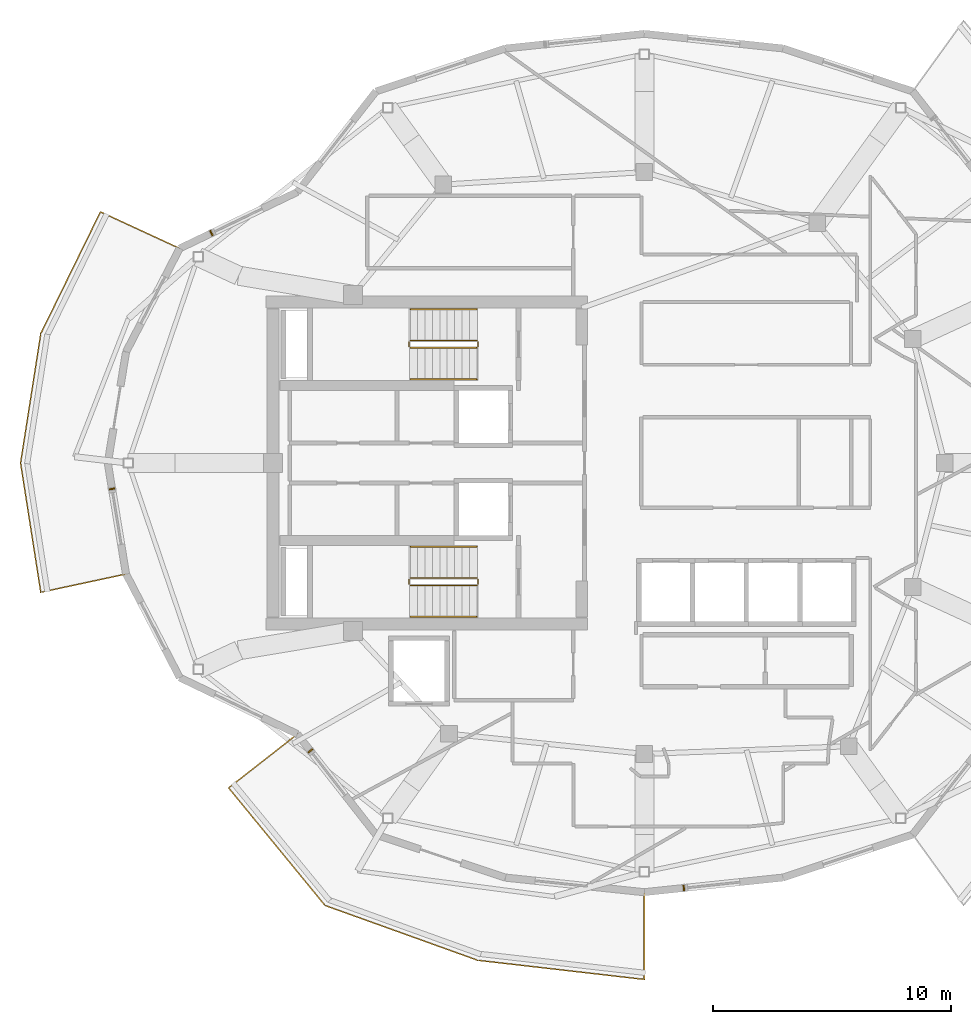
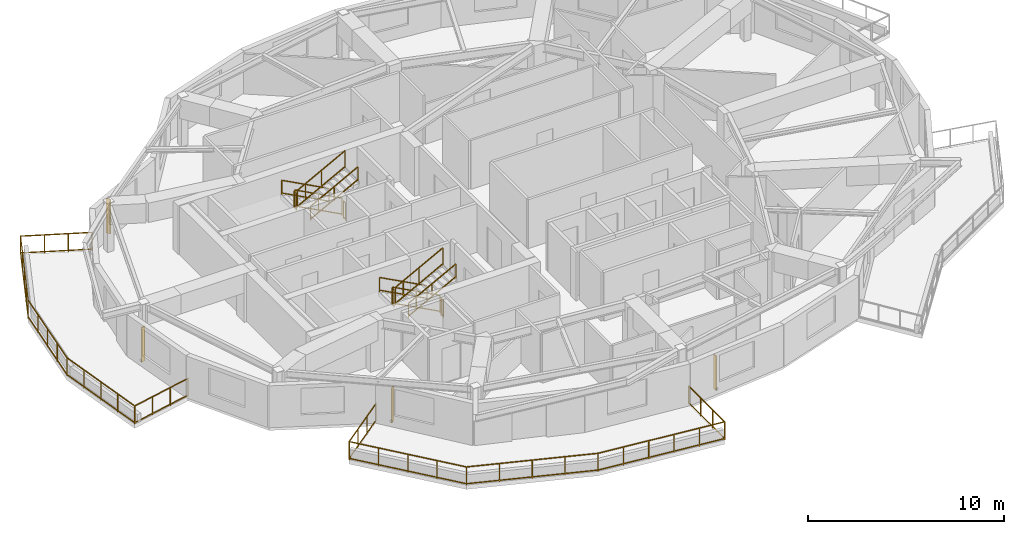
# One storey, part 9 of 11: 14 railings, 4 shading devices.
"""IFC4 building model written with IfcOpenShell, lengths in metres."""

from ifc_helpers import new_model, si_unit, direction, frame, origin, origin_2d, place, context, subcontext, project, spatial, rectangle, extrude, material, type_object, element, save


model = new_model("IFC4")

# Units and contexts
model_context = context("Model", 3, precision=1e-05, world=origin(), true_north=direction((0.0, 1.0)))
body_context = subcontext(model_context, "Body", "Model", "MODEL_VIEW")
ifc_project = project(units=[si_unit("LENGTHUNIT", "METRE"), si_unit("AREAUNIT", "SQUARE_METRE"), si_unit("VOLUMEUNIT", "CUBIC_METRE"), si_unit("PLANEANGLEUNIT", "RADIAN"), si_unit("MASSUNIT", "GRAM", prefix="KILO")], contexts=[model_context])

# Site, building, storey
site_placement = place(None, origin())
site = spatial("IfcSite", under=ifc_project, at=site_placement, CompositionType="ELEMENT")
building_placement = place(site_placement, origin())
building = spatial("IfcBuilding", under=site, at=building_placement, Name="Kolvaren Gate Tower and Convention Centre", CompositionType="ELEMENT")
storey_placement = place(building_placement, frame((0.0, 0.0, 255.800048828125)))
storey = spatial("IfcBuildingStorey", under=building, at=storey_placement, Name="L69", CompositionType="ELEMENT", Elevation=255.800048828125)

# Railings
ifc_material_1 = material(Name="Brushed Stainless Steel Grade 316L", Category="steel")
railing_type_1 = type_object("IfcRailingType", Name="ARCH-RL-GUARD-1150", PredefinedType="GUARDRAIL", material=ifc_material_1)
railing_1_placement = place(storey_placement, frame((23.10009765625, 32.1298828125, 0.1650390625)))
element("IfcRailing", 1, at=railing_1_placement, inside=storey, type_object=railing_type_1, Name="L69 ST-T1 stair guard 1", PredefinedType="GUARDRAIL", context=body_context, shape_type="SweptSolid", body=[
    extrude(rectangle(XDim=0.048095703125, YDim=0.048095703125, at=origin_2d()), frame((0.0, 0.0, 1.076171875), z_axis=(-0.882767428149, 0.0, 0.469810246588), x_axis=(0.0, -1.0, 0.0)), (0.0, 0.0, 1.0), 3.16064453125),
    extrude(rectangle(XDim=0.048095703125, YDim=0.048095703125, at=origin_2d()), frame((0.0, 0.0, 0.083984375), z_axis=(-0.882767428149, 0.0, 0.469810246588), x_axis=(0.0, -1.0, 0.0)), (0.0, 0.0, 1.0), 3.16064453125),
    extrude(rectangle(XDim=0.0419921875, YDim=0.0419921875, at=origin_2d()), origin(), (0.0, 0.0, 1.0), 1.050048828125),
    extrude(rectangle(XDim=0.0419921875, YDim=0.0419921875, at=origin_2d()), frame((-2.7900390625, 0.0, 1.48486328125)), (0.0, 0.0, 1.0), 1.050048828125),
    extrude(rectangle(XDim=0.0419921875, YDim=0.0419921875, at=origin_2d()), frame((-1.39501953125, 0.0, 0.742431640625)), (0.0, 0.0, 1.0), 1.050048828125),
])
railing_2_placement = place(storey_placement, frame((20.260009765625, 32.080078125, 1.64990234375)))
element("IfcRailing", 2, at=railing_2_placement, inside=storey, type_object=railing_type_1, Name="L69 ST-T1 stair guard 2", PredefinedType="GUARDRAIL", context=body_context, shape_type="SweptSolid", body=[
    extrude(rectangle(XDim=0.048095703125, YDim=0.048095703125, at=origin_2d()), frame((0.0, 0.0, 1.076171875), z_axis=(0.0, -1.0, 0.0), x_axis=(1.0, 0.0, 0.0)), (0.0, 0.0, 1.0), 0.2001953125),
    extrude(rectangle(XDim=0.048095703125, YDim=0.048095703125, at=origin_2d()), frame((0.0, 0.0, 0.083984375), z_axis=(0.0, -1.0, 0.0), x_axis=(1.0, 0.0, 0.0)), (0.0, 0.0, 1.0), 0.2001953125),
    extrude(rectangle(XDim=0.0419921875, YDim=0.0419921875, at=origin_2d()), origin(), (0.0, 0.0, 1.0), 1.050048828125),
    extrude(rectangle(XDim=0.0419921875, YDim=0.0419921875, at=origin_2d()), frame((0.0, -0.2001953125, 0.0)), (0.0, 0.0, 1.0), 1.050048828125),
])
railing_3_placement = place(storey_placement, frame((20.31005859375, 31.830078125, 1.81494140625)))
element("IfcRailing", 3, at=railing_3_placement, inside=storey, type_object=railing_type_1, Name="L69 ST-T1 stair guard 3", PredefinedType="GUARDRAIL", context=body_context, shape_type="SweptSolid", body=[
    extrude(rectangle(XDim=0.048095703125, YDim=0.048095703125, at=origin_2d()), frame((0.0, 0.0, 1.076171875), z_axis=(0.882735390775, 0.0, 0.469870439454), x_axis=(0.0, 1.0, 0.0)), (0.0, 0.0, 1.0), 3.16064453125),
    extrude(rectangle(XDim=0.048095703125, YDim=0.048095703125, at=origin_2d()), frame((0.0, 0.0, 0.083984375), z_axis=(0.882735390775, 0.0, 0.469870439454), x_axis=(0.0, 1.0, 0.0)), (0.0, 0.0, 1.0), 3.16064453125),
    extrude(rectangle(XDim=0.0419921875, YDim=0.0419921875, at=origin_2d()), origin(), (0.0, 0.0, 1.0), 1.050048828125),
    extrude(rectangle(XDim=0.0419921875, YDim=0.0419921875, at=origin_2d()), frame((2.7900390625, 0.0, 1.485107421875)), (0.0, 0.0, 1.0), 1.050048828125),
    extrude(rectangle(XDim=0.0419921875, YDim=0.0419921875, at=origin_2d()), frame((1.39501953125, 0.0, 0.74267578125)), (0.0, 0.0, 1.0), 1.050048828125),
])
railing_4_placement = place(storey_placement, frame((23.14990234375, 32.080078125, 0.0)))
element("IfcRailing", 4, at=railing_4_placement, inside=storey, type_object=railing_type_1, Name="L69 ST-T1 stair guard 4", PredefinedType="GUARDRAIL", context=body_context, shape_type="SweptSolid", body=[
    extrude(rectangle(XDim=0.048095703125, YDim=0.048095703125, at=origin_2d()), frame((0.0, 0.0, 1.076171875), z_axis=(0.0, -1.0, 0.0), x_axis=(1.0, 0.0, 0.0)), (0.0, 0.0, 1.0), 0.2001953125),
    extrude(rectangle(XDim=0.048095703125, YDim=0.048095703125, at=origin_2d()), frame((0.0, 0.0, 0.083984375), z_axis=(0.0, -1.0, 0.0), x_axis=(1.0, 0.0, 0.0)), (0.0, 0.0, 1.0), 0.2001953125),
    extrude(rectangle(XDim=0.0419921875, YDim=0.0419921875, at=origin_2d()), origin(), (0.0, 0.0, 1.0), 1.050048828125),
    extrude(rectangle(XDim=0.0419921875, YDim=0.0419921875, at=origin_2d()), frame((0.0, -0.2001953125, 0.0)), (0.0, 0.0, 1.0), 1.050048828125),
])
railing_5_placement = place(storey_placement, frame((23.10009765625, 22.169921875, 0.1650390625)))
element("IfcRailing", 5, at=railing_5_placement, inside=storey, type_object=railing_type_1, Name="L69 ST-T2 stair guard 1", PredefinedType="GUARDRAIL", context=body_context, shape_type="SweptSolid", body=[
    extrude(rectangle(XDim=0.048095703125, YDim=0.048095703125, at=origin_2d()), frame((0.0, 0.0, 1.076171875), z_axis=(-0.882767428149, 0.0, 0.469810246588), x_axis=(0.0, -1.0, 0.0)), (0.0, 0.0, 1.0), 3.16064453125),
    extrude(rectangle(XDim=0.048095703125, YDim=0.048095703125, at=origin_2d()), frame((0.0, 0.0, 0.083984375), z_axis=(-0.882767428149, 0.0, 0.469810246588), x_axis=(0.0, -1.0, 0.0)), (0.0, 0.0, 1.0), 3.16064453125),
    extrude(rectangle(XDim=0.0419921875, YDim=0.0419921875, at=origin_2d()), origin(), (0.0, 0.0, 1.0), 1.050048828125),
    extrude(rectangle(XDim=0.0419921875, YDim=0.0419921875, at=origin_2d()), frame((-2.7900390625, 0.0, 1.48486328125)), (0.0, 0.0, 1.0), 1.050048828125),
    extrude(rectangle(XDim=0.0419921875, YDim=0.0419921875, at=origin_2d()), frame((-1.39501953125, 0.0, 0.742431640625)), (0.0, 0.0, 1.0), 1.050048828125),
])
railing_6_placement = place(storey_placement, frame((20.260009765625, 22.1201171875, 1.64990234375)))
element("IfcRailing", 6, at=railing_6_placement, inside=storey, type_object=railing_type_1, Name="L69 ST-T2 stair guard 2", PredefinedType="GUARDRAIL", context=body_context, shape_type="SweptSolid", body=[
    extrude(rectangle(XDim=0.048095703125, YDim=0.048095703125, at=origin_2d()), frame((0.0, 0.0, 1.076171875), z_axis=(0.0, -1.0, 0.0), x_axis=(1.0, 0.0, 0.0)), (0.0, 0.0, 1.0), 0.2001953125),
    extrude(rectangle(XDim=0.048095703125, YDim=0.048095703125, at=origin_2d()), frame((0.0, 0.0, 0.083984375), z_axis=(0.0, -1.0, 0.0), x_axis=(1.0, 0.0, 0.0)), (0.0, 0.0, 1.0), 0.2001953125),
    extrude(rectangle(XDim=0.0419921875, YDim=0.0419921875, at=origin_2d()), origin(), (0.0, 0.0, 1.0), 1.050048828125),
    extrude(rectangle(XDim=0.0419921875, YDim=0.0419921875, at=origin_2d()), frame((0.0, -0.2001953125, 0.0)), (0.0, 0.0, 1.0), 1.050048828125),
])
railing_7_placement = place(storey_placement, frame((20.31005859375, 21.8701171875, 1.81494140625)))
element("IfcRailing", 7, at=railing_7_placement, inside=storey, type_object=railing_type_1, Name="L69 ST-T2 stair guard 3", PredefinedType="GUARDRAIL", context=body_context, shape_type="SweptSolid", body=[
    extrude(rectangle(XDim=0.048095703125, YDim=0.048095703125, at=origin_2d()), frame((0.0, 0.0, 1.076171875), z_axis=(0.882735390775, 0.0, 0.469870439454), x_axis=(0.0, 1.0, 0.0)), (0.0, 0.0, 1.0), 3.16064453125),
    extrude(rectangle(XDim=0.048095703125, YDim=0.048095703125, at=origin_2d()), frame((0.0, 0.0, 0.083984375), z_axis=(0.882735390775, 0.0, 0.469870439454), x_axis=(0.0, 1.0, 0.0)), (0.0, 0.0, 1.0), 3.16064453125),
    extrude(rectangle(XDim=0.0419921875, YDim=0.0419921875, at=origin_2d()), origin(), (0.0, 0.0, 1.0), 1.050048828125),
    extrude(rectangle(XDim=0.0419921875, YDim=0.0419921875, at=origin_2d()), frame((2.7900390625, 0.0, 1.485107421875)), (0.0, 0.0, 1.0), 1.050048828125),
    extrude(rectangle(XDim=0.0419921875, YDim=0.0419921875, at=origin_2d()), frame((1.39501953125, 0.0, 0.74267578125)), (0.0, 0.0, 1.0), 1.050048828125),
])
railing_8_placement = place(storey_placement, frame((23.14990234375, 22.1201171875, 0.0)))
element("IfcRailing", 8, at=railing_8_placement, inside=storey, type_object=railing_type_1, Name="L69 ST-T2 stair guard 4", PredefinedType="GUARDRAIL", context=body_context, shape_type="SweptSolid", body=[
    extrude(rectangle(XDim=0.048095703125, YDim=0.048095703125, at=origin_2d()), frame((0.0, 0.0, 1.076171875), z_axis=(0.0, -1.0, 0.0), x_axis=(1.0, 0.0, 0.0)), (0.0, 0.0, 1.0), 0.2001953125),
    extrude(rectangle(XDim=0.048095703125, YDim=0.048095703125, at=origin_2d()), frame((0.0, 0.0, 0.083984375), z_axis=(0.0, -1.0, 0.0), x_axis=(1.0, 0.0, 0.0)), (0.0, 0.0, 1.0), 0.2001953125),
    extrude(rectangle(XDim=0.0419921875, YDim=0.0419921875, at=origin_2d()), origin(), (0.0, 0.0, 1.0), 1.050048828125),
    extrude(rectangle(XDim=0.0419921875, YDim=0.0419921875, at=origin_2d()), frame((0.0, -0.2001953125, 0.0)), (0.0, 0.0, 1.0), 1.050048828125),
])
railing_9_placement = place(storey_placement, frame((10.639404296875, 36.0, 0.0)))
element("IfcRailing", 9, at=railing_9_placement, inside=storey, type_object=railing_type_1, Name="Tower L69 Terrace Perimeter Guardrail GR-2", PredefinedType="GUARDRAIL", context=body_context, shape_type="SweptSolid", body=[
    extrude(rectangle(XDim=0.048095703125, YDim=0.048095703125, at=origin_2d()), frame((-0.025390625, 0.01171875, 1.1259765625), z_axis=(-0.907846116663, 0.419303503993, 0.0), x_axis=(-0.419303503993, -0.907846116663, 0.0)), (0.0, 0.0, 1.0), 3.60400390625),
    extrude(rectangle(XDim=0.048095703125, YDim=0.048095703125, at=origin_2d()), frame((-0.025390625, 0.01171875, 0.083984375), z_axis=(-0.907846116663, 0.419303503993, 0.0), x_axis=(-0.419303503993, -0.907846116663, 0.0)), (0.0, 0.0, 1.0), 3.60400390625),
    extrude(rectangle(XDim=0.048095703125, YDim=0.048095703125, at=origin_2d()), frame((-3.335205078125, 1.509521484375, 1.1259765625), z_axis=(-0.440058847499, -0.897968936399, 0.0), x_axis=(0.897968936399, -0.440058847499, 0.0)), (0.0, 0.0, 1.0), 5.63330078125),
    extrude(rectangle(XDim=0.048095703125, YDim=0.048095703125, at=origin_2d()), frame((-3.335205078125, 1.509521484375, 0.083984375), z_axis=(-0.440058847499, -0.897968936399, 0.0), x_axis=(0.897968936399, -0.440058847499, 0.0)), (0.0, 0.0, 1.0), 5.63330078125),
    extrude(rectangle(XDim=0.048095703125, YDim=0.048095703125, at=origin_2d()), frame((-5.830810546875, -3.60205078125, 1.1259765625), z_axis=(-0.1543985789, -0.988008643097, 0.0), x_axis=(0.988008643097, -0.1543985789, 0.0)), (0.0, 0.0, 1.0), 5.435546875),
    extrude(rectangle(XDim=0.048095703125, YDim=0.048095703125, at=origin_2d()), frame((-5.830810546875, -3.60205078125, 0.083984375), z_axis=(-0.1543985789, -0.988008643097, 0.0), x_axis=(0.988008643097, -0.1543985789, 0.0)), (0.0, 0.0, 1.0), 5.435546875),
    extrude(rectangle(XDim=0.048095703125, YDim=0.048095703125, at=origin_2d()), frame((-6.669921875, -9.02783203125, 1.1259765625), z_axis=(0.1543985789, -0.988008643097, 0.0), x_axis=(0.988008643097, 0.1543985789, 0.0)), (0.0, 0.0, 1.0), 5.435546875),
    extrude(rectangle(XDim=0.048095703125, YDim=0.048095703125, at=origin_2d()), frame((-6.669921875, -9.02783203125, 0.083984375), z_axis=(0.1543985789, -0.988008643097, 0.0), x_axis=(0.988008643097, 0.1543985789, 0.0)), (0.0, 0.0, 1.0), 5.435546875),
    extrude(rectangle(XDim=0.048095703125, YDim=0.048095703125, at=origin_2d()), frame((-5.799072265625, -14.419921875, 1.1259765625), z_axis=(0.977788745232, 0.209592866525, 0.0), x_axis=(-0.209592866525, 0.977788745232, 0.0)), (0.0, 0.0, 1.0), 3.603759765625),
    extrude(rectangle(XDim=0.048095703125, YDim=0.048095703125, at=origin_2d()), frame((-5.799072265625, -14.419921875, 0.083984375), z_axis=(0.977788745232, 0.209592866525, 0.0), x_axis=(-0.209592866525, 0.977788745232, 0.0)), (0.0, 0.0, 1.0), 3.603759765625),
    extrude(rectangle(XDim=0.0419921875, YDim=0.0419921875, at=origin_2d()), origin(), (0.0, 0.0, 1.0), 1.14990234375),
    extrude(rectangle(XDim=0.0419921875, YDim=0.0419921875, at=origin_2d()), frame((-3.32275390625, 1.53466796875, 0.0)), (0.0, 0.0, 1.0), 1.14990234375),
    extrude(rectangle(XDim=0.0419921875, YDim=0.0419921875, at=origin_2d()), frame((-1.107666015625, 0.511474609375, 0.0)), (0.0, 0.0, 1.0), 1.099853515625),
    extrude(rectangle(XDim=0.0419921875, YDim=0.0419921875, at=origin_2d()), frame((-2.215087890625, 1.023193359375, 0.0)), (0.0, 0.0, 1.0), 1.099853515625),
    extrude(rectangle(XDim=0.0419921875, YDim=0.0419921875, at=origin_2d()), frame((-5.826416015625, -3.57421875, 0.0)), (0.0, 0.0, 1.0), 1.14990234375),
    extrude(rectangle(XDim=0.0419921875, YDim=0.0419921875, at=origin_2d()), frame((-3.94873046875, 0.25732421875, 0.0)), (0.0, 0.0, 1.0), 1.099853515625),
    extrude(rectangle(XDim=0.0419921875, YDim=0.0419921875, at=origin_2d()), frame((-4.57470703125, -1.019775390625, 0.0)), (0.0, 0.0, 1.0), 1.099853515625),
    extrude(rectangle(XDim=0.0419921875, YDim=0.0419921875, at=origin_2d()), frame((-5.200439453125, -2.296875, 0.0)), (0.0, 0.0, 1.0), 1.099853515625),
    extrude(rectangle(XDim=0.0419921875, YDim=0.0419921875, at=origin_2d()), frame((-6.67431640625, -9.0, 0.0)), (0.0, 0.0, 1.0), 1.14990234375),
    extrude(rectangle(XDim=0.0419921875, YDim=0.0419921875, at=origin_2d()), frame((-6.038330078125, -4.9306640625, 0.0)), (0.0, 0.0, 1.0), 1.099853515625),
    extrude(rectangle(XDim=0.0419921875, YDim=0.0419921875, at=origin_2d()), frame((-6.25048828125, -6.287109375, 0.0)), (0.0, 0.0, 1.0), 1.099853515625),
    extrude(rectangle(XDim=0.0419921875, YDim=0.0419921875, at=origin_2d()), frame((-6.46240234375, -7.6435546875, 0.0)), (0.0, 0.0, 1.0), 1.099853515625),
    extrude(rectangle(XDim=0.0419921875, YDim=0.0419921875, at=origin_2d()), frame((-5.826416015625, -14.42578125, 0.0)), (0.0, 0.0, 1.0), 1.14990234375),
    extrude(rectangle(XDim=0.0419921875, YDim=0.0419921875, at=origin_2d()), frame((-6.46240234375, -10.3564453125, 0.0)), (0.0, 0.0, 1.0), 1.099853515625),
    extrude(rectangle(XDim=0.0419921875, YDim=0.0419921875, at=origin_2d()), frame((-6.25048828125, -11.712890625, 0.0)), (0.0, 0.0, 1.0), 1.099853515625),
    extrude(rectangle(XDim=0.0419921875, YDim=0.0419921875, at=origin_2d()), frame((-6.038330078125, -13.0693359375, 0.0)), (0.0, 0.0, 1.0), 1.099853515625),
    extrude(rectangle(XDim=0.0419921875, YDim=0.0419921875, at=origin_2d()), frame((-2.247802734375, -13.65869140625, 0.0)), (0.0, 0.0, 1.0), 1.14990234375),
    extrude(rectangle(XDim=0.0419921875, YDim=0.0419921875, at=origin_2d()), frame((-4.633544921875, -14.170166015625, 0.0)), (0.0, 0.0, 1.0), 1.099853515625),
    extrude(rectangle(XDim=0.0419921875, YDim=0.0419921875, at=origin_2d()), frame((-3.440673828125, -13.914306640625, 0.0)), (0.0, 0.0, 1.0), 1.099853515625),
])
railing_10_placement = place(storey_placement, frame((15.57275390625, 15.629638671875, 0.0)))
element("IfcRailing", 10, at=railing_10_placement, inside=storey, type_object=railing_type_1, Name="Tower L69 Terrace Perimeter Guardrail GR-3", PredefinedType="GUARDRAIL", context=body_context, shape_type="SweptSolid", body=[
    extrude(rectangle(XDim=0.048095703125, YDim=0.048095703125, at=origin_2d()), frame((-0.022216796875, -0.017333984375, 1.1259765625), z_axis=(-0.787988976981, -0.61568934712, 0.0), x_axis=(0.61568934712, -0.787988976981, 0.0)), (0.0, 0.0, 1.0), 3.60400390625),
    extrude(rectangle(XDim=0.048095703125, YDim=0.048095703125, at=origin_2d()), frame((-0.022216796875, -0.017333984375, 0.083984375), z_axis=(-0.787988976981, -0.61568934712, 0.0), x_axis=(0.61568934712, -0.787988976981, 0.0)), (0.0, 0.0, 1.0), 3.60400390625),
    extrude(rectangle(XDim=0.048095703125, YDim=0.048095703125, at=origin_2d()), frame((-2.8662109375, -2.275146484375, 1.1259765625), z_axis=(0.634050293942, -0.773291810866, 0.0), x_axis=(0.773291810866, 0.634050293942, 0.0)), (0.0, 0.0, 1.0), 6.322509765625),
    extrude(rectangle(XDim=0.048095703125, YDim=0.048095703125, at=origin_2d()), frame((-2.8662109375, -2.275146484375, 0.083984375), z_axis=(0.634050293942, -0.773291810866, 0.0), x_axis=(0.773291810866, 0.634050293942, 0.0)), (0.0, 0.0, 1.0), 6.322509765625),
    extrude(rectangle(XDim=0.048095703125, YDim=0.048095703125, at=origin_2d()), frame((1.186767578125, -7.195556640625, 1.1259765625), z_axis=(0.941139090914, -0.338019543152, 0.0), x_axis=(0.338019543152, 0.941139090914, 0.0)), (0.0, 0.0, 1.0), 6.75048828125),
    extrude(rectangle(XDim=0.048095703125, YDim=0.048095703125, at=origin_2d()), frame((1.186767578125, -7.195556640625, 0.083984375), z_axis=(0.941139090914, -0.338019543152, 0.0), x_axis=(0.338019543152, 0.941139090914, 0.0)), (0.0, 0.0, 1.0), 6.75048828125),
    extrude(rectangle(XDim=0.048095703125, YDim=0.048095703125, at=origin_2d()), frame((7.59423828125, -9.489990234375, 1.1259765625), z_axis=(0.99346265417, -0.114157587437, 0.0), x_axis=(0.114157587437, 0.99346265417, 0.0)), (0.0, 0.0, 1.0), 6.975830078125),
    extrude(rectangle(XDim=0.048095703125, YDim=0.048095703125, at=origin_2d()), frame((7.59423828125, -9.489990234375, 0.083984375), z_axis=(0.99346265417, -0.114157587437, 0.0), x_axis=(0.114157587437, 0.99346265417, 0.0)), (0.0, 0.0, 1.0), 6.975830078125),
    extrude(rectangle(XDim=0.048095703125, YDim=0.048095703125, at=origin_2d()), frame((14.55224609375, -10.261474609375, 1.1259765625), z_axis=(0.0, 1.0, 0.0), x_axis=(-1.0, 0.0, 0.0)), (0.0, 0.0, 1.0), 3.603759765625),
    extrude(rectangle(XDim=0.048095703125, YDim=0.048095703125, at=origin_2d()), frame((14.55224609375, -10.261474609375, 0.083984375), z_axis=(0.0, 1.0, 0.0), x_axis=(-1.0, 0.0, 0.0)), (0.0, 0.0, 1.0), 3.603759765625),
    extrude(rectangle(XDim=0.0419921875, YDim=0.0419921875, at=origin_2d()), origin(), (0.0, 0.0, 1.0), 1.14990234375),
    extrude(rectangle(XDim=0.0419921875, YDim=0.0419921875, at=origin_2d()), frame((-2.884033203125, -2.25341796875, 0.0)), (0.0, 0.0, 1.0), 1.14990234375),
    extrude(rectangle(XDim=0.0419921875, YDim=0.0419921875, at=origin_2d()), frame((-0.96142578125, -0.751220703125, 0.0)), (0.0, 0.0, 1.0), 1.099853515625),
    extrude(rectangle(XDim=0.0419921875, YDim=0.0419921875, at=origin_2d()), frame((-1.922607421875, -1.502197265625, 0.0)), (0.0, 0.0, 1.0), 1.099853515625),
    extrude(rectangle(XDim=0.0419921875, YDim=0.0419921875, at=origin_2d()), frame((1.160400390625, -7.18603515625, 0.0)), (0.0, 0.0, 1.0), 1.14990234375),
    extrude(rectangle(XDim=0.0419921875, YDim=0.0419921875, at=origin_2d()), frame((-1.873046875, -3.486572265625, 0.0)), (0.0, 0.0, 1.0), 1.099853515625),
    extrude(rectangle(XDim=0.0419921875, YDim=0.0419921875, at=origin_2d()), frame((-0.86181640625, -4.7197265625, 0.0)), (0.0, 0.0, 1.0), 1.099853515625),
    extrude(rectangle(XDim=0.0419921875, YDim=0.0419921875, at=origin_2d()), frame((0.1494140625, -5.952880859375, 0.0)), (0.0, 0.0, 1.0), 1.099853515625),
    extrude(rectangle(XDim=0.0419921875, YDim=0.0419921875, at=origin_2d()), frame((7.56640625, -9.48681640625, 0.0)), (0.0, 0.0, 1.0), 1.14990234375),
    extrude(rectangle(XDim=0.0419921875, YDim=0.0419921875, at=origin_2d()), frame((2.761962890625, -7.76123046875, 0.0)), (0.0, 0.0, 1.0), 1.099853515625),
    extrude(rectangle(XDim=0.0419921875, YDim=0.0419921875, at=origin_2d()), frame((4.36328125, -8.33642578125, 0.0)), (0.0, 0.0, 1.0), 1.099853515625),
    extrude(rectangle(XDim=0.0419921875, YDim=0.0419921875, at=origin_2d()), frame((5.96484375, -8.91162109375, 0.0)), (0.0, 0.0, 1.0), 1.099853515625),
    extrude(rectangle(XDim=0.0419921875, YDim=0.0419921875, at=origin_2d()), frame((14.55224609375, -10.28955078125, 0.0)), (0.0, 0.0, 1.0), 1.14990234375),
    extrude(rectangle(XDim=0.0419921875, YDim=0.0419921875, at=origin_2d()), frame((8.963623046875, -9.6474609375, 0.0)), (0.0, 0.0, 1.0), 1.099853515625),
    extrude(rectangle(XDim=0.0419921875, YDim=0.0419921875, at=origin_2d()), frame((10.36083984375, -9.807861328125, 0.0)), (0.0, 0.0, 1.0), 1.099853515625),
    extrude(rectangle(XDim=0.0419921875, YDim=0.0419921875, at=origin_2d()), frame((11.7578125, -9.968505859375, 0.0)), (0.0, 0.0, 1.0), 1.099853515625),
    extrude(rectangle(XDim=0.0419921875, YDim=0.0419921875, at=origin_2d()), frame((13.155029296875, -10.12890625, 0.0)), (0.0, 0.0, 1.0), 1.099853515625),
    extrude(rectangle(XDim=0.0419921875, YDim=0.0419921875, at=origin_2d()), frame((14.55224609375, -6.629638671875, 0.0)), (0.0, 0.0, 1.0), 1.14990234375),
    extrude(rectangle(XDim=0.0419921875, YDim=0.0419921875, at=origin_2d()), frame((14.55224609375, -9.069580078125, 0.0)), (0.0, 0.0, 1.0), 1.099853515625),
    extrude(rectangle(XDim=0.0419921875, YDim=0.0419921875, at=origin_2d()), frame((14.55224609375, -7.849609375, 0.0)), (0.0, 0.0, 1.0), 1.099853515625),
])
railing_type_2 = type_object("IfcRailingType", Name="ARCH-RL-HANDRAIL-920", PredefinedType="HANDRAIL", material=ifc_material_1)
railing_11_placement = place(storey_placement, frame((23.10009765625, 33.449951171875, 0.1650390625)))
element("IfcRailing", 11, at=railing_11_placement, inside=storey, type_object=railing_type_2, Name="L69 ST-T1 stair handrail 1", PredefinedType="HANDRAIL", context=body_context, shape_type="SweptSolid", body=[
    extrude(rectangle(XDim=0.048095703125, YDim=0.048095703125, at=origin_2d()), frame((0.0, 0.0, 0.8759765625), z_axis=(-0.882767428149, 0.0, 0.469810246588), x_axis=(0.0, -1.0, 0.0)), (0.0, 0.0, 1.0), 3.16064453125),
    extrude(rectangle(XDim=0.048095703125, YDim=0.048095703125, at=origin_2d()), frame((0.0, 0.0, 0.083984375), z_axis=(-0.882767428149, 0.0, 0.469810246588), x_axis=(0.0, -1.0, 0.0)), (0.0, 0.0, 1.0), 3.16064453125),
    extrude(rectangle(XDim=0.0419921875, YDim=0.0419921875, at=origin_2d()), origin(), (0.0, 0.0, 1.0), 0.849853515625),
    extrude(rectangle(XDim=0.0419921875, YDim=0.0419921875, at=origin_2d()), frame((-2.7900390625, 0.0, 1.48486328125)), (0.0, 0.0, 1.0), 0.849853515625),
    extrude(rectangle(XDim=0.0419921875, YDim=0.0419921875, at=origin_2d()), frame((-1.39501953125, 0.0, 0.742431640625)), (0.0, 0.0, 1.0), 0.849853515625),
])
railing_12_placement = place(storey_placement, frame((20.31005859375, 30.510009765625, 1.81494140625)))
element("IfcRailing", 12, at=railing_12_placement, inside=storey, type_object=railing_type_2, Name="L69 ST-T1 stair handrail 2", PredefinedType="HANDRAIL", context=body_context, shape_type="SweptSolid", body=[
    extrude(rectangle(XDim=0.048095703125, YDim=0.048095703125, at=origin_2d()), frame((0.0, 0.0, 0.8759765625), z_axis=(0.882735390775, 0.0, 0.469870439454), x_axis=(0.0, 1.0, 0.0)), (0.0, 0.0, 1.0), 3.16064453125),
    extrude(rectangle(XDim=0.048095703125, YDim=0.048095703125, at=origin_2d()), frame((0.0, 0.0, 0.083984375), z_axis=(0.882735390775, 0.0, 0.469870439454), x_axis=(0.0, 1.0, 0.0)), (0.0, 0.0, 1.0), 3.16064453125),
    extrude(rectangle(XDim=0.0419921875, YDim=0.0419921875, at=origin_2d()), origin(), (0.0, 0.0, 1.0), 0.849853515625),
    extrude(rectangle(XDim=0.0419921875, YDim=0.0419921875, at=origin_2d()), frame((2.7900390625, 0.0, 1.485107421875)), (0.0, 0.0, 1.0), 0.849853515625),
    extrude(rectangle(XDim=0.0419921875, YDim=0.0419921875, at=origin_2d()), frame((1.39501953125, 0.0, 0.74267578125)), (0.0, 0.0, 1.0), 0.849853515625),
])
railing_13_placement = place(storey_placement, frame((23.10009765625, 23.489990234375, 0.1650390625)))
element("IfcRailing", 13, at=railing_13_placement, inside=storey, type_object=railing_type_2, Name="L69 ST-T2 stair handrail 1", PredefinedType="HANDRAIL", context=body_context, shape_type="SweptSolid", body=[
    extrude(rectangle(XDim=0.048095703125, YDim=0.048095703125, at=origin_2d()), frame((0.0, 0.0, 0.8759765625), z_axis=(-0.882767428149, 0.0, 0.469810246588), x_axis=(0.0, -1.0, 0.0)), (0.0, 0.0, 1.0), 3.16064453125),
    extrude(rectangle(XDim=0.048095703125, YDim=0.048095703125, at=origin_2d()), frame((0.0, 0.0, 0.083984375), z_axis=(-0.882767428149, 0.0, 0.469810246588), x_axis=(0.0, -1.0, 0.0)), (0.0, 0.0, 1.0), 3.16064453125),
    extrude(rectangle(XDim=0.0419921875, YDim=0.0419921875, at=origin_2d()), origin(), (0.0, 0.0, 1.0), 0.849853515625),
    extrude(rectangle(XDim=0.0419921875, YDim=0.0419921875, at=origin_2d()), frame((-2.7900390625, 0.0, 1.48486328125)), (0.0, 0.0, 1.0), 0.849853515625),
    extrude(rectangle(XDim=0.0419921875, YDim=0.0419921875, at=origin_2d()), frame((-1.39501953125, 0.0, 0.742431640625)), (0.0, 0.0, 1.0), 0.849853515625),
])
railing_14_placement = place(storey_placement, frame((20.31005859375, 20.550048828125, 1.81494140625)))
element("IfcRailing", 14, at=railing_14_placement, inside=storey, type_object=railing_type_2, Name="L69 ST-T2 stair handrail 2", PredefinedType="HANDRAIL", context=body_context, shape_type="SweptSolid", body=[
    extrude(rectangle(XDim=0.048095703125, YDim=0.048095703125, at=origin_2d()), frame((0.0, 0.0, 0.8759765625), z_axis=(0.882735390775, 0.0, 0.469870439454), x_axis=(0.0, 1.0, 0.0)), (0.0, 0.0, 1.0), 3.16064453125),
    extrude(rectangle(XDim=0.048095703125, YDim=0.048095703125, at=origin_2d()), frame((0.0, 0.0, 0.083984375), z_axis=(0.882735390775, 0.0, 0.469870439454), x_axis=(0.0, 1.0, 0.0)), (0.0, 0.0, 1.0), 3.16064453125),
    extrude(rectangle(XDim=0.0419921875, YDim=0.0419921875, at=origin_2d()), origin(), (0.0, 0.0, 1.0), 0.849853515625),
    extrude(rectangle(XDim=0.0419921875, YDim=0.0419921875, at=origin_2d()), frame((2.7900390625, 0.0, 1.485107421875)), (0.0, 0.0, 1.0), 0.849853515625),
    extrude(rectangle(XDim=0.0419921875, YDim=0.0419921875, at=origin_2d()), frame((1.39501953125, 0.0, 0.74267578125)), (0.0, 0.0, 1.0), 0.849853515625),
])

# Shading devices
ifc_material_2 = material(Name="Kiln-Fired Bogota Terracotta Ceramic Louvre Profile", Category="masonry")
shading_device_type = type_object("IfcShadingDeviceType", Name="ARCH-SHD-FIN-180", PredefinedType="JALOUSIE", material=ifc_material_2)
for number, where, z_axis, x_axis, name in (
    (15, (11.970703125, 36.6396484375, 0.219970703125), (0.0, 0.0, 1.0), (0.901357634097, 0.433075530889, 0.0), "Ceramic Vertical Brise-Soleil Fin FN-L69-09"),
    (16, (7.8037109375, 25.91357421875, 0.219970703125), (0.0, 0.0, 1.0), (0.162389178836, -0.986726788223, 0.0), "Ceramic Vertical Brise-Soleil Fin FN-L69-12"),
    (17, (16.121337890625, 14.928955078125, 0.219970703125), (0.0, 0.0, 1.0), (0.616435493395, -0.787405411769, 0.0), "Ceramic Vertical Brise-Soleil Fin FN-L69-15"),
    (18, (31.78369140625, 9.1748046875, 0.219970703125), (0.0, 0.0, 1.0), (0.994499981166, 0.104736753152, 0.0), "Ceramic Vertical Brise-Soleil Fin FN-L69-18"),
):
    element("IfcShadingDevice", number, at=place(storey_placement, frame(where, z_axis=z_axis, x_axis=x_axis)), inside=storey, type_object=shading_device_type, Name=name, PredefinedType="JALOUSIE", context=body_context, shape_type="SweptSolid", body=[
        extrude(rectangle(XDim=0.06005859375, YDim=0.239990234375, at=origin_2d()), origin(), (0.0, 0.0, 1.0), 2.14990234375),
    ])

save(model, "model.ifc")
